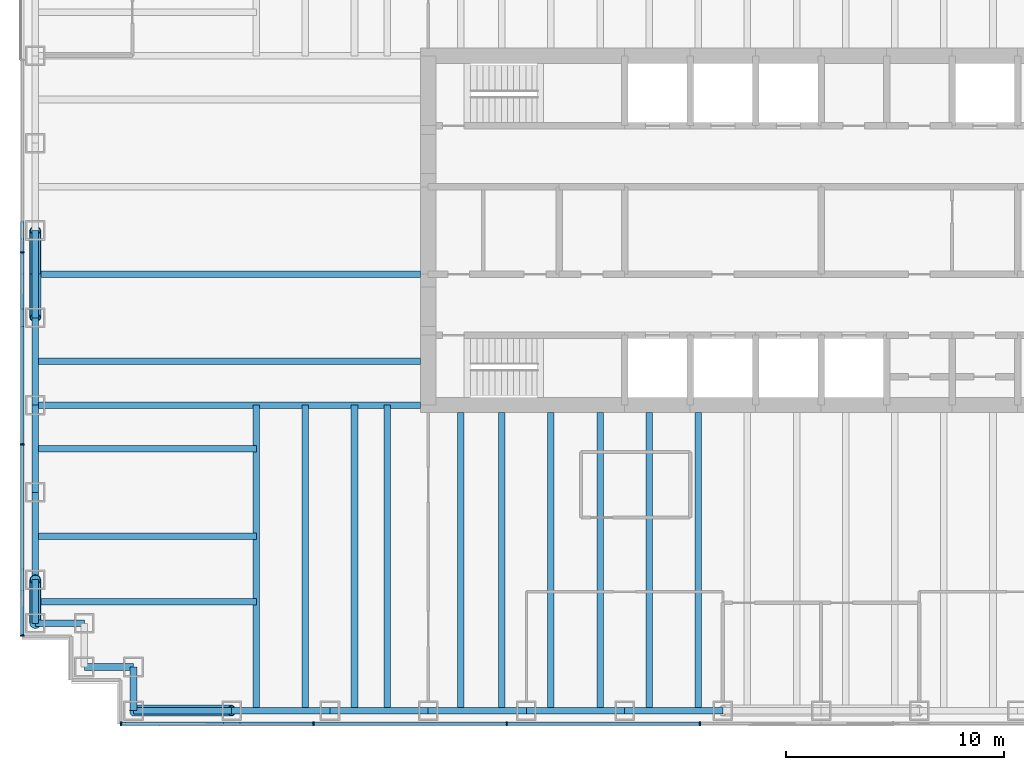
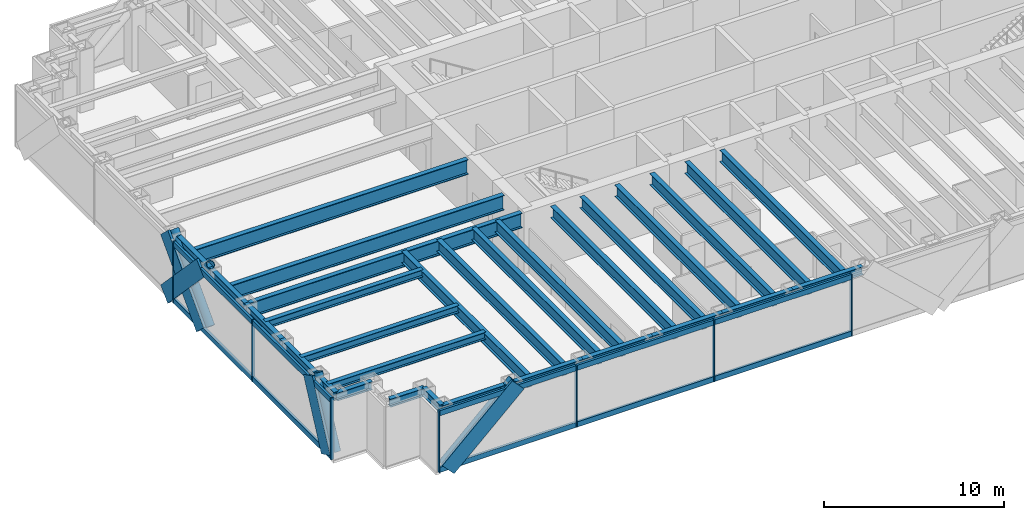
# One storey, part 2 of 15: 30 beams, 25 members, 2 elements without a shape of their own.
"""IFC4 building model written with IfcOpenShell, lengths in metres."""

from ifc_helpers import new_model, si_unit, direction, frame, origin, origin_2d, place, context, subcontext, project, spatial, rectangle, hollow_circle, i_section, extrude, material, material_profile, profile_set, type_object, element, aggregate, save


model = new_model("IFC4")

# Units and contexts
model_context = context("Model", 3, precision=1e-05, world=origin(), true_north=direction((0.0, 1.0)))
body_context = subcontext(model_context, "Body", "Model", "MODEL_VIEW")
ifc_project = project(units=[si_unit("LENGTHUNIT", "METRE"), si_unit("AREAUNIT", "SQUARE_METRE"), si_unit("VOLUMEUNIT", "CUBIC_METRE"), si_unit("PLANEANGLEUNIT", "RADIAN"), si_unit("MASSUNIT", "GRAM", prefix="KILO")], contexts=[model_context])

# Site, building, storey
site_placement = place(None, origin())
site = spatial("IfcSite", under=ifc_project, at=site_placement, CompositionType="ELEMENT")
building_placement = place(site_placement, origin())
building = spatial("IfcBuilding", under=site, at=building_placement, Name="Rheinbord Bourse Tower", CompositionType="ELEMENT")
storey_placement = place(building_placement, frame((0.0, 0.0, 275.300048828125)))
storey = spatial("IfcBuildingStorey", under=building, at=storey_placement, Name="L62", CompositionType="ELEMENT", Elevation=275.300048828125)

# Curtain wall, member
ifc_material_1 = material(Name="Dark glass and black aluminium", Category="aluminium")
curtain_wall_type = type_object("IfcCurtainWallType", Name="CW3 DARK GLASS CURTAIN WALL", PredefinedType="USERDEFINED", material=ifc_material_1)
curtain_wall_1_placement = place(storey_placement, origin())
curtain_wall_1 = element("IfcCurtainWall", 1, at=curtain_wall_1_placement, inside=storey, type_object=curtain_wall_type, Name="Curtain wall CW3 S L62", ObjectType="UNITISED CURTAIN WALL", PredefinedType="USERDEFINED")
ifc_material_2 = material(Name="Black anodised aluminium", Category="aluminium")
ifc_material_profile_1 = material_profile(ifc_material_2, rectangle(XDim=0.14990234375, YDim=1.10791015625, at=origin_2d()), Name="CW3 DIAGONAL MULLION 1108x150")
ifc_profile_set_1 = profile_set([ifc_material_profile_1], Name="Black anodised aluminium")
member_type_1 = type_object("IfcMemberType", Name="CW3 BLACK DIAGONAL MULLION", PredefinedType="USERDEFINED", material=ifc_profile_set_1)
member_1_placement = place(storey_placement, frame((4.5, 1.39990234375, 0.0), z_axis=(0.73105922506, 0.0, 0.682314010889), x_axis=(0.0, 1.0, 0.0)))
member_1 = element("IfcMember", 2, at=member_1_placement, type_object=member_type_1, Name="CW3 diagonal mullion d", ObjectType="DIAGONAL MULLION", PredefinedType="USERDEFINED", context=body_context, shape_type="SweptSolid", body=[
    extrude(rectangle(XDim=0.14990234375, YDim=1.10791015625, at=origin_2d()), origin(), (0.0, 0.0, 1.0), 6.155517578125),
])

# Curtain wall, members
curtain_wall_2_placement = place(storey_placement, origin())
curtain_wall_2 = element("IfcCurtainWall", 3, at=curtain_wall_2_placement, inside=storey, type_object=curtain_wall_type, Name="Curtain wall CW3 W L62", ObjectType="UNITISED CURTAIN WALL", PredefinedType="USERDEFINED")
member_2_placement = place(storey_placement, frame((-0.60009765625, 6.0, 0.0), z_axis=(0.0, 0.429937654825, 0.902858578607), x_axis=(-1.0, 0.0, 0.0)))
member_2 = element("IfcMember", 4, at=member_2_placement, type_object=member_type_1, Name="CW3 diagonal mullion b", ObjectType="DIAGONAL MULLION", PredefinedType="USERDEFINED", context=body_context, shape_type="SweptSolid", body=[
    extrude(rectangle(XDim=0.14990234375, YDim=1.10791015625, at=origin_2d()), origin(), (0.0, 0.0, 1.0), 4.65185546875),
])
member_3_placement = place(storey_placement, frame((-0.60009765625, 24.0, 0.0), z_axis=(0.0, -0.689659376744, 0.724133926887), x_axis=(1.0, 0.0, 0.0)))
member_3 = element("IfcMember", 5, at=member_3_placement, type_object=member_type_1, Name="CW3 diagonal mullion c", ObjectType="DIAGONAL MULLION", PredefinedType="USERDEFINED", context=body_context, shape_type="SweptSolid", body=[
    extrude(rectangle(XDim=0.14990234375, YDim=1.10791015625, at=origin_2d()), origin(), (0.0, 0.0, 1.0), 5.800048828125),
])
member_4_placement = place(storey_placement, frame((-0.60009765625, 20.0, 0.0), z_axis=(0.0, 0.689659376744, 0.724133926887), x_axis=(-1.0, 0.0, 0.0)))
member_4 = element("IfcMember", 6, at=member_4_placement, type_object=member_type_1, Name="CW3 diagonal mullion d", ObjectType="DIAGONAL MULLION", PredefinedType="USERDEFINED", context=body_context, shape_type="SweptSolid", body=[
    extrude(rectangle(XDim=0.14990234375, YDim=1.10791015625, at=origin_2d()), origin(), (0.0, 0.0, 1.0), 5.800048828125),
])

# Member
ifc_material_3 = material(Name="Black anodised aluminium", Category="aluminium")
ifc_material_profile_2 = material_profile(ifc_material_3, rectangle(XDim=0.199951171875, YDim=0.06494140625, at=origin_2d()), Name="CW3 MULLION 65x200")
ifc_profile_set_2 = profile_set([ifc_material_profile_2], Name="Black anodised aluminium")
member_type_2 = type_object("IfcMemberType", Name="CW3 BLACK MULLION", PredefinedType="MULLION", material=ifc_profile_set_2)
member_5_placement = place(storey_placement, frame((3.9326171875, 1.39990234375, 0.0), z_axis=(0.0, 0.0, 1.0), x_axis=(0.0, 1.0, 0.0)))
member_5 = element("IfcMember", 7, at=member_5_placement, type_object=member_type_2, Name="CW3 mullion 1", PredefinedType="MULLION", context=body_context, shape_type="SweptSolid", body=[
    extrude(rectangle(XDim=0.199951171875, YDim=0.06494140625, at=origin_2d()), origin(), (0.0, 0.0, 1.0), 4.199951171875),
])

member_6_placement = place(storey_placement, frame((12.75, 1.39990234375, 0.0), z_axis=(0.0, 0.0, 1.0), x_axis=(0.0, 1.0, 0.0)))
member_6 = element("IfcMember", 8, at=member_6_placement, type_object=member_type_2, Name="CW3 mullion 2", PredefinedType="MULLION", context=body_context, shape_type="SweptSolid", body=[
    extrude(rectangle(XDim=0.199951171875, YDim=0.06494140625, at=origin_2d()), origin(), (0.0, 0.0, 1.0), 4.199951171875),
])

member_7_placement = place(storey_placement, frame((21.60009765625, 1.39990234375, 0.0), z_axis=(0.0, 0.0, 1.0), x_axis=(0.0, 1.0, 0.0)))
member_7 = element("IfcMember", 9, at=member_7_placement, type_object=member_type_2, Name="CW3 mullion 3", PredefinedType="MULLION", context=body_context, shape_type="SweptSolid", body=[
    extrude(rectangle(XDim=0.199951171875, YDim=0.06494140625, at=origin_2d()), origin(), (0.0, 0.0, 1.0), 4.199951171875),
])

member_8_placement = place(storey_placement, frame((30.449951171875, 1.39990234375, 0.0), z_axis=(0.0, 0.0, 1.0), x_axis=(0.0, 1.0, 0.0)))
member_8 = element("IfcMember", 10, at=member_8_placement, type_object=member_type_2, Name="CW3 mullion 4", PredefinedType="MULLION", context=body_context, shape_type="SweptSolid", body=[
    extrude(rectangle(XDim=0.199951171875, YDim=0.06494140625, at=origin_2d()), origin(), (0.0, 0.0, 1.0), 4.199951171875),
])

member_9_placement = place(storey_placement, frame((-0.60009765625, 23.0, 0.0), z_axis=(0.0, 0.0, 1.0), x_axis=(1.0, 0.0, 0.0)))
member_9 = element("IfcMember", 11, at=member_9_placement, type_object=member_type_2, Name="CW3 mullion 3", PredefinedType="MULLION", context=body_context, shape_type="SweptSolid", body=[
    extrude(rectangle(XDim=0.199951171875, YDim=0.06494140625, at=origin_2d()), origin(), (0.0, 0.0, 1.0), 4.199951171875),
])

member_10_placement = place(storey_placement, frame((-0.60009765625, 14.199951171875, 0.0), z_axis=(0.0, 0.0, 1.0), x_axis=(1.0, 0.0, 0.0)))
member_10 = element("IfcMember", 12, at=member_10_placement, type_object=member_type_2, Name="CW3 mullion 4", PredefinedType="MULLION", context=body_context, shape_type="SweptSolid", body=[
    extrude(rectangle(XDim=0.199951171875, YDim=0.06494140625, at=origin_2d()), origin(), (0.0, 0.0, 1.0), 4.199951171875),
])

member_11_placement = place(storey_placement, frame((-0.60009765625, 5.4326171875, 0.0), z_axis=(0.0, 0.0, 1.0), x_axis=(1.0, 0.0, 0.0)))
member_11 = element("IfcMember", 13, at=member_11_placement, type_object=member_type_2, Name="CW3 mullion 5", PredefinedType="MULLION", context=body_context, shape_type="SweptSolid", body=[
    extrude(rectangle(XDim=0.199951171875, YDim=0.06494140625, at=origin_2d()), origin(), (0.0, 0.0, 1.0), 4.199951171875),
])

ifc_material_4 = material(Name="Black anodised aluminium", Category="aluminium")
ifc_material_profile_3 = material_profile(ifc_material_4, rectangle(XDim=0.14990234375, YDim=0.35009765625, at=origin_2d()), Name="CW3 TRANSOM 350x150")
ifc_profile_set_3 = profile_set([ifc_material_profile_3], Name="Black anodised aluminium")
member_type_3 = type_object("IfcMemberType", Name="CW3 BLACK TRANSOM", PredefinedType="USERDEFINED", material=ifc_profile_set_3)
member_12_placement = place(storey_placement, frame((3.965087890625, 1.39990234375, 0.175048828125), z_axis=(1.0, 0.0, 0.0), x_axis=(0.0, 1.0, 0.0)))
member_12 = element("IfcMember", 14, at=member_12_placement, type_object=member_type_3, Name="CW3 transom 1.1", ObjectType="TRANSOM", PredefinedType="USERDEFINED", context=body_context, shape_type="SweptSolid", body=[
    extrude(rectangle(XDim=0.14990234375, YDim=0.35009765625, at=origin_2d()), origin(), (0.0, 0.0, 1.0), 8.75244140625),
])

member_13_placement = place(storey_placement, frame((3.965087890625, 1.39990234375, 4.02490234375), z_axis=(1.0, 0.0, 0.0), x_axis=(0.0, 1.0, 0.0)))
member_13 = element("IfcMember", 15, at=member_13_placement, type_object=member_type_3, Name="CW3 transom 1.2", ObjectType="TRANSOM", PredefinedType="USERDEFINED", context=body_context, shape_type="SweptSolid", body=[
    extrude(rectangle(XDim=0.14990234375, YDim=0.35009765625, at=origin_2d()), origin(), (0.0, 0.0, 1.0), 8.75244140625),
])

member_14_placement = place(storey_placement, frame((12.782470703125, 1.39990234375, 0.175048828125), z_axis=(1.0, 0.0, 0.0), x_axis=(0.0, 1.0, 0.0)))
member_14 = element("IfcMember", 16, at=member_14_placement, type_object=member_type_3, Name="CW3 transom 2.1", ObjectType="TRANSOM", PredefinedType="USERDEFINED", context=body_context, shape_type="SweptSolid", body=[
    extrude(rectangle(XDim=0.14990234375, YDim=0.35009765625, at=origin_2d()), origin(), (0.0, 0.0, 1.0), 8.784912109375),
])

member_15_placement = place(storey_placement, frame((12.782470703125, 1.39990234375, 4.02490234375), z_axis=(1.0, 0.0, 0.0), x_axis=(0.0, 1.0, 0.0)))
member_15 = element("IfcMember", 17, at=member_15_placement, type_object=member_type_3, Name="CW3 transom 2.2", ObjectType="TRANSOM", PredefinedType="USERDEFINED", context=body_context, shape_type="SweptSolid", body=[
    extrude(rectangle(XDim=0.14990234375, YDim=0.35009765625, at=origin_2d()), origin(), (0.0, 0.0, 1.0), 8.784912109375),
])

member_16_placement = place(storey_placement, frame((21.632568359375, 1.39990234375, 0.175048828125), z_axis=(1.0, 0.0, 0.0), x_axis=(0.0, 1.0, 0.0)))
member_16 = element("IfcMember", 18, at=member_16_placement, type_object=member_type_3, Name="CW3 transom 3.1", ObjectType="TRANSOM", PredefinedType="USERDEFINED", context=body_context, shape_type="SweptSolid", body=[
    extrude(rectangle(XDim=0.14990234375, YDim=0.35009765625, at=origin_2d()), origin(), (0.0, 0.0, 1.0), 8.784912109375),
])

member_17_placement = place(storey_placement, frame((21.632568359375, 1.39990234375, 4.02490234375), z_axis=(1.0, 0.0, 0.0), x_axis=(0.0, 1.0, 0.0)))
member_17 = element("IfcMember", 19, at=member_17_placement, type_object=member_type_3, Name="CW3 transom 3.2", ObjectType="TRANSOM", PredefinedType="USERDEFINED", context=body_context, shape_type="SweptSolid", body=[
    extrude(rectangle(XDim=0.14990234375, YDim=0.35009765625, at=origin_2d()), origin(), (0.0, 0.0, 1.0), 8.784912109375),
])

aggregate(curtain_wall_1, [member_5, member_6, member_7, member_8, member_12, member_13, member_14, member_15, member_16, member_17, member_1])

member_18_placement = place(storey_placement, frame((-0.60009765625, 22.967529296875, 0.175048828125), z_axis=(0.0, -1.0, 0.0), x_axis=(1.0, 0.0, 0.0)))
member_18 = element("IfcMember", 20, at=member_18_placement, type_object=member_type_3, Name="CW3 transom 3.1", ObjectType="TRANSOM", PredefinedType="USERDEFINED", context=body_context, shape_type="SweptSolid", body=[
    extrude(rectangle(XDim=0.14990234375, YDim=0.35009765625, at=origin_2d()), origin(), (0.0, 0.0, 1.0), 8.735107421875),
])

member_19_placement = place(storey_placement, frame((-0.60009765625, 22.967529296875, 4.02490234375), z_axis=(0.0, -1.0, 0.0), x_axis=(1.0, 0.0, 0.0)))
member_19 = element("IfcMember", 21, at=member_19_placement, type_object=member_type_3, Name="CW3 transom 3.2", ObjectType="TRANSOM", PredefinedType="USERDEFINED", context=body_context, shape_type="SweptSolid", body=[
    extrude(rectangle(XDim=0.14990234375, YDim=0.35009765625, at=origin_2d()), origin(), (0.0, 0.0, 1.0), 8.735107421875),
])

member_20_placement = place(storey_placement, frame((-0.60009765625, 14.16748046875, 0.175048828125), z_axis=(0.0, -1.0, 0.0), x_axis=(1.0, 0.0, 0.0)))
member_20 = element("IfcMember", 22, at=member_20_placement, type_object=member_type_3, Name="CW3 transom 4.1", ObjectType="TRANSOM", PredefinedType="USERDEFINED", context=body_context, shape_type="SweptSolid", body=[
    extrude(rectangle(XDim=0.14990234375, YDim=0.35009765625, at=origin_2d()), origin(), (0.0, 0.0, 1.0), 8.702392578125),
])

member_21_placement = place(storey_placement, frame((-0.60009765625, 14.16748046875, 4.02490234375), z_axis=(0.0, -1.0, 0.0), x_axis=(1.0, 0.0, 0.0)))
member_21 = element("IfcMember", 23, at=member_21_placement, type_object=member_type_3, Name="CW3 transom 4.2", ObjectType="TRANSOM", PredefinedType="USERDEFINED", context=body_context, shape_type="SweptSolid", body=[
    extrude(rectangle(XDim=0.14990234375, YDim=0.35009765625, at=origin_2d()), origin(), (0.0, 0.0, 1.0), 8.702392578125),
])

aggregate(curtain_wall_2, [member_9, member_10, member_11, member_18, member_19, member_20, member_21, member_2, member_3, member_4])

# Beams
ifc_material_5 = material(Name="Steel S460", Category="steel")
ifc_material_profile_4 = material_profile(ifc_material_5, i_section(OverallWidth=0.302001953125, OverallDepth=1.008056640625, WebThickness=0.02099609375, FlangeThickness=0.0400390625, at=origin_2d()), Name="HEM 1000")
ifc_profile_set_4 = profile_set([ifc_material_profile_4], Name="Steel S460")
beam_type_1 = type_object("IfcBeamType", Name="END BEAM HEM 1000", PredefinedType="BEAM", material=ifc_profile_set_4)
for number, where, z_axis, x_axis, name in (
    (24, (0.0, 18.0, 3.535888671875), (1.0, 0.0, 0.0), (0.0, 1.0, 0.0), "End beam west 18 L63"),
    (25, (0.0, 22.0, 3.535888671875), (1.0, 0.0, 0.0), (0.0, 1.0, 0.0), "End beam west 22 L63"),
):
    element("IfcBeam", number, at=place(storey_placement, frame(where, z_axis=z_axis, x_axis=x_axis)), inside=storey, type_object=beam_type_1, Name=name, PredefinedType="BEAM", context=body_context, shape_type="SweptSolid", body=[
        extrude(i_section(OverallWidth=0.302001953125, OverallDepth=1.008056640625, WebThickness=0.02099609375, FlangeThickness=0.0400390625, at=origin_2d()), origin(), (0.0, 0.0, 1.0), 17.64990234375),
    ])
ifc_material_6 = material(Name="Steel S460", Category="steel")
ifc_material_profile_5 = material_profile(ifc_material_6, i_section(OverallWidth=0.300048828125, OverallDepth=0.800048828125, WebThickness=0.017578125, FlangeThickness=0.032958984375, at=origin_2d()), Name="HEB 800")
ifc_profile_set_5 = profile_set([ifc_material_profile_5], Name="Steel S460")
beam_type_2 = type_object("IfcBeamType", Name="FLOOR BEAM HEB 800", PredefinedType="BEAM", material=ifc_profile_set_5)
for number, where, z_axis, x_axis, name in (
    (26, (10.125, 2.0, 3.639892578125), (0.0, 1.0, 0.0), (-1.0, 0.0, 0.0), "Floor beam S-9a L63"),
    (27, (12.375, 2.0, 3.639892578125), (0.0, 1.0, 0.0), (-1.0, 0.0, 0.0), "Floor beam S-9b L63"),
    (28, (14.625, 2.0, 3.639892578125), (0.0, 1.0, 0.0), (-1.0, 0.0, 0.0), "Floor beam S-13.5a L63"),
    (29, (16.125, 2.0, 3.639892578125), (0.0, 1.0, 0.0), (-1.0, 0.0, 0.0), "Floor beam S-13.5b L63"),
):
    element("IfcBeam", number, at=place(storey_placement, frame(where, z_axis=z_axis, x_axis=x_axis)), inside=storey, type_object=beam_type_2, Name=name, PredefinedType="BEAM", context=body_context, shape_type="SweptSolid", body=[
        extrude(i_section(OverallWidth=0.300048828125, OverallDepth=0.800048828125, WebThickness=0.017578125, FlangeThickness=0.032958984375, at=origin_2d()), origin(), (0.0, 0.0, 1.0), 14.0),
    ])
for number, where, z_axis, x_axis, name in (
    (30, (19.5, 2.0, 3.639892578125), (0.0, 1.0, 0.0), (-1.0, 0.0, 0.0), "Floor beam S-18a L63"),
    (31, (21.375, 2.0, 3.639892578125), (0.0, 1.0, 0.0), (-1.0, 0.0, 0.0), "Floor beam S-18b L63"),
    (32, (23.625, 2.0, 3.639892578125), (0.0, 1.0, 0.0), (-1.0, 0.0, 0.0), "Floor beam S-22.5a L63"),
    (33, (25.875, 2.0, 3.639892578125), (0.0, 1.0, 0.0), (-1.0, 0.0, 0.0), "Floor beam S-22.5b L63"),
    (34, (28.125, 2.0, 3.639892578125), (0.0, 1.0, 0.0), (-1.0, 0.0, 0.0), "Floor beam S-27a L63"),
    (35, (30.375, 2.0, 3.639892578125), (0.0, 1.0, 0.0), (-1.0, 0.0, 0.0), "Floor beam S-27b L63"),
):
    element("IfcBeam", number, at=place(storey_placement, frame(where, z_axis=z_axis, x_axis=x_axis)), inside=storey, type_object=beam_type_2, Name=name, PredefinedType="BEAM", context=body_context, shape_type="SweptSolid", body=[
        extrude(i_section(OverallWidth=0.300048828125, OverallDepth=0.800048828125, WebThickness=0.017578125, FlangeThickness=0.032958984375, at=origin_2d()), origin(), (0.0, 0.0, 1.0), 13.64990234375),
    ])
ifc_material_7 = material(Name="Steel S460", Category="steel")
ifc_material_profile_6 = material_profile(ifc_material_7, i_section(OverallWidth=0.302001953125, OverallDepth=1.008056640625, WebThickness=0.02099609375, FlangeThickness=0.0400390625, at=origin_2d()), Name="HEM 1000")
ifc_profile_set_6 = profile_set([ifc_material_profile_6], Name="Steel S460")
beam_type_3 = type_object("IfcBeamType", Name="GIRDER HEM 1000", PredefinedType="BEAM", material=ifc_profile_set_6)
beam_1_placement = place(storey_placement, frame((0.0, 16.0, 3.535888671875), z_axis=(1.0, 0.0, 0.0), x_axis=(0.0, 1.0, 0.0)))
element("IfcBeam", 36, at=beam_1_placement, inside=storey, type_object=beam_type_3, Name="Girder west 16 L63", PredefinedType="BEAM", context=body_context, shape_type="SweptSolid", body=[
    extrude(i_section(OverallWidth=0.302001953125, OverallDepth=1.008056640625, WebThickness=0.02099609375, FlangeThickness=0.0400390625, at=origin_2d()), origin(), (0.0, 0.0, 1.0), 17.64990234375),
])

# Members
ifc_material_8 = material(Name="Steel S460", Category="steel")
ifc_material_profile_7 = material_profile(ifc_material_8, hollow_circle(Radius=0.25390625, WallThickness=0.030029296875, at=origin_2d()), Name="CHS 508x30")
ifc_profile_set_7 = profile_set([ifc_material_profile_7], Name="Steel S460")
member_type_4 = type_object("IfcMemberType", Name="MEGABRACE CHS 508x30", PredefinedType="BRACE", material=ifc_profile_set_7)
member_22_placement = place(storey_placement, frame((4.5, 2.0, 0.0), z_axis=(0.73105922506, 0.0, 0.682314010889), x_axis=(0.0, 1.0, 0.0)))
element("IfcMember", 37, at=member_22_placement, inside=storey, type_object=member_type_4, Name="Megabrace S face line d L62", PredefinedType="BRACE", context=body_context, shape_type="SweptSolid", body=[
    extrude(hollow_circle(Radius=0.25390625, WallThickness=0.030029296875, at=origin_2d()), origin(), (0.0, 0.0, 1.0), 6.155517578125),
])
member_23_placement = place(storey_placement, frame((0.0, 6.0, 0.0), z_axis=(0.0, 0.429937654825, 0.902858578607), x_axis=(-1.0, 0.0, 0.0)))
element("IfcMember", 38, at=member_23_placement, inside=storey, type_object=member_type_4, Name="Megabrace W face line b L62", PredefinedType="BRACE", context=body_context, shape_type="SweptSolid", body=[
    extrude(hollow_circle(Radius=0.25390625, WallThickness=0.030029296875, at=origin_2d()), origin(), (0.0, 0.0, 1.0), 4.65185546875),
])
for number, where, z_axis, x_axis, name in (
    (39, (0.0, 24.0, 0.0), (0.0, -0.689659376744, 0.724133926887), (1.0, 0.0, 0.0), "Megabrace W face line c L62"),
    (40, (0.0, 20.0, 0.0), (0.0, 0.689659376744, 0.724133926887), (-1.0, 0.0, 0.0), "Megabrace W face line d L62"),
):
    element("IfcMember", number, at=place(storey_placement, frame(where, z_axis=z_axis, x_axis=x_axis)), inside=storey, type_object=member_type_4, Name=name, PredefinedType="BRACE", context=body_context, shape_type="SweptSolid", body=[
        extrude(hollow_circle(Radius=0.25390625, WallThickness=0.030029296875, at=origin_2d()), origin(), (0.0, 0.0, 1.0), 5.800048828125),
    ])

# Beams
ifc_material_9 = material(Name="Steel S460", Category="steel")
ifc_material_profile_8 = material_profile(ifc_material_9, i_section(OverallWidth=0.300048828125, OverallDepth=0.550048828125, WebThickness=0.014892578125, FlangeThickness=0.029052734375, at=origin_2d()), Name="HEB 550")
ifc_profile_set_8 = profile_set([ifc_material_profile_8], Name="Steel S460")
beam_type_4 = type_object("IfcBeamType", Name="SPANDREL HEB 550", PredefinedType="SPANDREL", material=ifc_profile_set_8)
for number, where, z_axis, x_axis, name in (
    (41, (4.5, 2.0, 3.764892578125), (1.0, 0.0, 0.0), (0.0, 1.0, 0.0), "Spandrel SW-E-S-9 under L63"),
    (42, (9.0, 2.0, 3.764892578125), (1.0, 0.0, 0.0), (0.0, 1.0, 0.0), "Spandrel S-9-S-13.5 under L63"),
    (43, (13.5, 2.0, 3.764892578125), (1.0, 0.0, 0.0), (0.0, 1.0, 0.0), "Spandrel S-13.5-S-18 under L63"),
    (44, (18.0, 2.0, 3.764892578125), (1.0, 0.0, 0.0), (0.0, 1.0, 0.0), "Spandrel S-18-S-22.5 under L63"),
    (45, (22.5, 2.0, 3.764892578125), (1.0, 0.0, 0.0), (0.0, 1.0, 0.0), "Spandrel S-22.5-S-27 under L63"),
    (46, (27.0, 2.0, 3.764892578125), (1.0, 0.0, 0.0), (0.0, 1.0, 0.0), "Spandrel S-27-S-31.5 under L63"),
):
    element("IfcBeam", number, at=place(storey_placement, frame(where, z_axis=z_axis, x_axis=x_axis)), inside=storey, type_object=beam_type_4, Name=name, PredefinedType="SPANDREL", context=body_context, shape_type="SweptSolid", body=[
        extrude(i_section(OverallWidth=0.300048828125, OverallDepth=0.550048828125, WebThickness=0.014892578125, FlangeThickness=0.029052734375, at=origin_2d()), origin(), (0.0, 0.0, 1.0), 4.5),
    ])
for number, where, z_axis, x_axis, name in (
    (47, (0.0, 24.0, 3.764892578125), (0.0, -1.0, 0.0), (1.0, 0.0, 0.0), "Spandrel W-24-W-20 under L63"),
    (48, (0.0, 20.0, 3.764892578125), (0.0, -1.0, 0.0), (1.0, 0.0, 0.0), "Spandrel W-20-W-16 under L63"),
    (49, (0.0, 16.0, 3.764892578125), (0.0, -1.0, 0.0), (1.0, 0.0, 0.0), "Spandrel W-16-W-12 under L63"),
    (50, (0.0, 12.0, 3.764892578125), (0.0, -1.0, 0.0), (1.0, 0.0, 0.0), "Spandrel W-12-W-8 under L63"),
):
    element("IfcBeam", number, at=place(storey_placement, frame(where, z_axis=z_axis, x_axis=x_axis)), inside=storey, type_object=beam_type_4, Name=name, PredefinedType="SPANDREL", context=body_context, shape_type="SweptSolid", body=[
        extrude(i_section(OverallWidth=0.300048828125, OverallDepth=0.550048828125, WebThickness=0.014892578125, FlangeThickness=0.029052734375, at=origin_2d()), origin(), (0.0, 0.0, 1.0), 4.0),
    ])
beam_2_placement = place(storey_placement, frame((0.0, 8.0, 3.764892578125), z_axis=(0.0, -1.0, 0.0), x_axis=(1.0, 0.0, 0.0)))
element("IfcBeam", 51, at=beam_2_placement, inside=storey, type_object=beam_type_4, Name="Spandrel W-8-SW-A under L63", PredefinedType="SPANDREL", context=body_context, shape_type="SweptSolid", body=[
    extrude(i_section(OverallWidth=0.300048828125, OverallDepth=0.550048828125, WebThickness=0.014892578125, FlangeThickness=0.029052734375, at=origin_2d()), origin(), (0.0, 0.0, 1.0), 2.0),
])
for number, where, z_axis, x_axis, name in (
    (52, (0.0, 6.0, 3.764892578125), (1.0, 0.0, 0.0), (0.0, 1.0, 0.0), "Spandrel SW-A-SW-B under L63"),
    (53, (2.25, 4.0, 3.764892578125), (1.0, 0.0, 0.0), (0.0, 1.0, 0.0), "Spandrel SW-C-SW-D under L63"),
):
    element("IfcBeam", number, at=place(storey_placement, frame(where, z_axis=z_axis, x_axis=x_axis)), inside=storey, type_object=beam_type_4, Name=name, PredefinedType="SPANDREL", context=body_context, shape_type="SweptSolid", body=[
        extrude(i_section(OverallWidth=0.300048828125, OverallDepth=0.550048828125, WebThickness=0.014892578125, FlangeThickness=0.029052734375, at=origin_2d()), origin(), (0.0, 0.0, 1.0), 2.25),
    ])
beam_3_placement = place(storey_placement, frame((4.5, 4.0, 3.764892578125), z_axis=(0.0, -1.0, 0.0), x_axis=(1.0, 0.0, 0.0)))
element("IfcBeam", 54, at=beam_3_placement, inside=storey, type_object=beam_type_4, Name="Spandrel SW-D-SW-E under L63", PredefinedType="SPANDREL", context=body_context, shape_type="SweptSolid", body=[
    extrude(i_section(OverallWidth=0.300048828125, OverallDepth=0.550048828125, WebThickness=0.014892578125, FlangeThickness=0.029052734375, at=origin_2d()), origin(), (0.0, 0.0, 1.0), 2.0),
])
ifc_material_10 = material(Name="Steel S460", Category="steel")
ifc_material_profile_9 = material_profile(ifc_material_10, i_section(OverallWidth=0.300048828125, OverallDepth=0.5, WebThickness=0.014404296875, FlangeThickness=0.028076171875, at=origin_2d()), Name="HEB 500")
ifc_profile_set_9 = profile_set([ifc_material_profile_9], Name="Steel S460")
beam_type_5 = type_object("IfcBeamType", Name="TIE BEAM HEB 500", PredefinedType="JOIST", material=ifc_profile_set_9)
for number, where, z_axis, x_axis, name in (
    (55, (0.0, 7.0, 3.7900390625), (1.0, 0.0, 0.0), (0.0, 1.0, 0.0), "Tie west 7 L63"),
    (56, (0.0, 10.0, 3.7900390625), (1.0, 0.0, 0.0), (0.0, 1.0, 0.0), "Tie west 10 L63"),
    (57, (0.0, 14.0, 3.7900390625), (1.0, 0.0, 0.0), (0.0, 1.0, 0.0), "Tie west 14 L63"),
):
    element("IfcBeam", number, at=place(storey_placement, frame(where, z_axis=z_axis, x_axis=x_axis)), inside=storey, type_object=beam_type_5, Name=name, PredefinedType="JOIST", context=body_context, shape_type="SweptSolid", body=[
        extrude(i_section(OverallWidth=0.300048828125, OverallDepth=0.5, WebThickness=0.014404296875, FlangeThickness=0.028076171875, at=origin_2d()), origin(), (0.0, 0.0, 1.0), 10.125),
    ])

save(model, "model.ifc")
